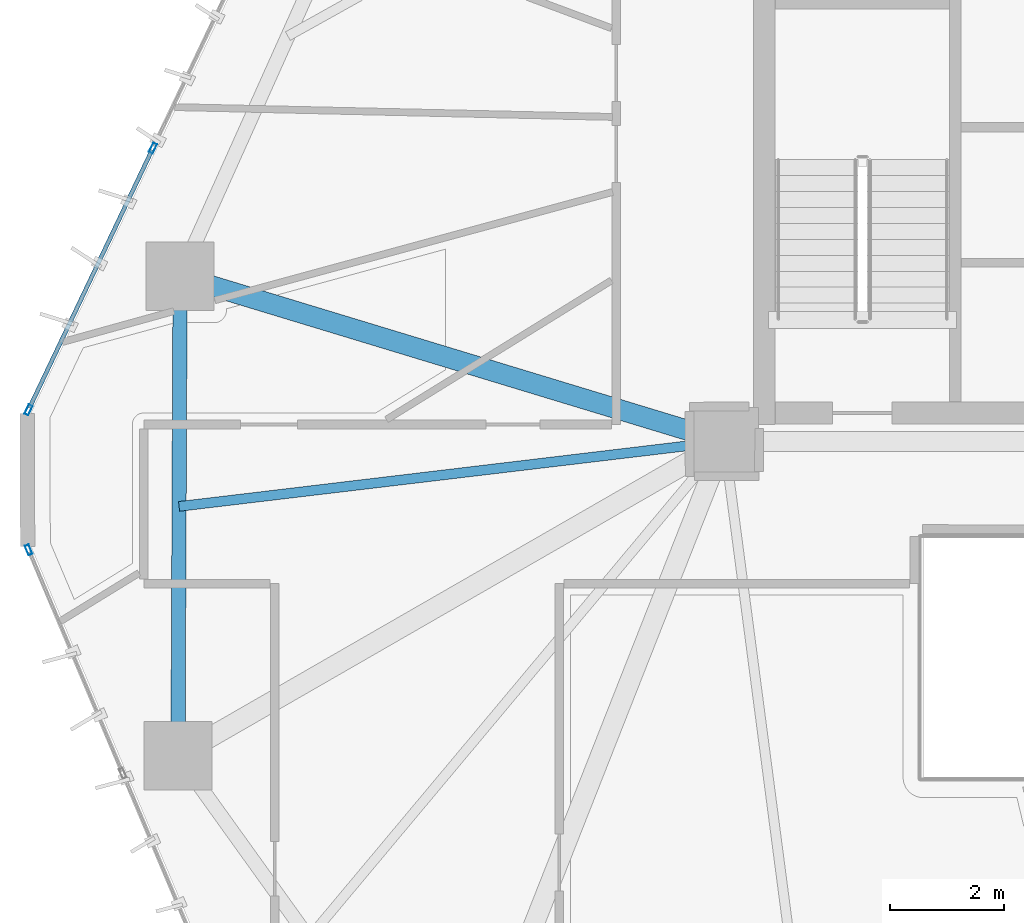
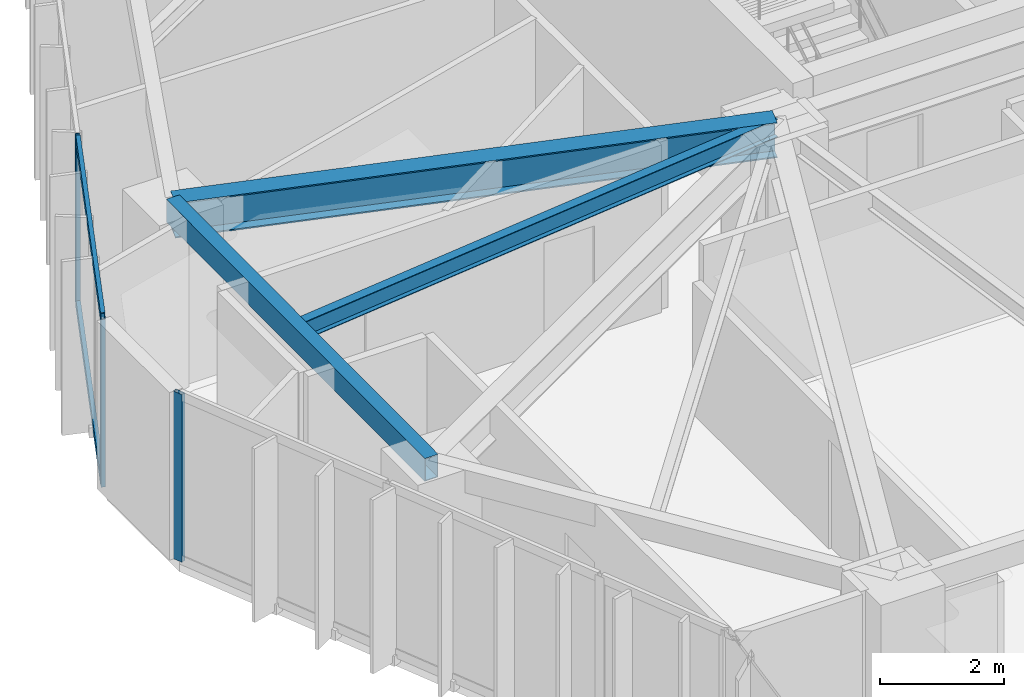
# One storey, part 7 of 22: 5 members, 3 beams, 2 elements without a shape of their own.
"""IFC4 building model written with IfcOpenShell, lengths in metres."""

from ifc_helpers import new_model, si_unit, direction, frame, origin, origin_2d, place, context, subcontext, project, spatial, hollow_rectangle, i_section, extrude, source, transform, mapped, material, layer, layer_set, material_profile, profile_set, type_object, type_shapes, element, aggregate, save


model = new_model("IFC4")

# Units and contexts
model_context = context("Model", 3, precision=1e-05, world=origin(), true_north=direction((0.0, 1.0)))
body_context = subcontext(model_context, "Body", "Model", "MODEL_VIEW")
ifc_project = project(units=[si_unit("LENGTHUNIT", "METRE"), si_unit("AREAUNIT", "SQUARE_METRE"), si_unit("VOLUMEUNIT", "CUBIC_METRE"), si_unit("PLANEANGLEUNIT", "RADIAN"), si_unit("MASSUNIT", "GRAM", prefix="KILO")], contexts=[model_context])

# Site, building, storey
site_placement = place(None, origin())
site = spatial("IfcSite", under=ifc_project, at=site_placement, CompositionType="ELEMENT")
building_placement = place(site_placement, origin())
building = spatial("IfcBuilding", under=site, at=building_placement, Name="Talar Marvaseh", CompositionType="ELEMENT")
storey_placement = place(building_placement, frame((0.0, 0.0, 150.60009765625)))
storey = spatial("IfcBuildingStorey", under=building, at=storey_placement, Name="L39", CompositionType="ELEMENT", Elevation=150.60009765625)

# Beams
ifc_material_1 = material(Name="Steel S355", Category="steel")
ifc_material_profile_1 = material_profile(ifc_material_1, hollow_rectangle(XDim=0.25, YDim=0.449951171875, WallThickness=0.01611328125, at=origin_2d()), Name="RHS450x250x16")
ifc_profile_set_1 = profile_set([ifc_material_profile_1], Name="Steel S355")
beam_type_1 = type_object("IfcBeamType", Name="Zone 2 Perimeter Spandrel Beam RHS450x250x16", PredefinedType="SPANDREL", material=ifc_profile_set_1)
beam_1_placement = place(storey_placement, frame((9.10107421875, 19.97705078125, 3.0849609375), z_axis=(0.004375628226, 0.999990426893, 0.0), x_axis=(-0.999990426893, 0.004375628226, 0.0)))
element("IfcBeam", 1, at=beam_1_placement, inside=storey, type_object=beam_type_1, Name="L39 Zone 2 Perimeter Spandrel Beam RHS450x250x16", PredefinedType="SPANDREL", context=body_context, shape_type="SweptSolid", body=[
    extrude(hollow_rectangle(XDim=0.25, YDim=0.449951171875, WallThickness=0.01611328125, at=origin_2d()), origin(), (0.0, 0.0, 1.0), 8.425048828125),
])
ifc_material_profile_2 = material_profile(ifc_material_1, i_section(OverallWidth=0.35498046875, OverallDepth=0.695068359375, WebThickness=0.015380859375, FlangeThickness=0.02490234375, at=origin_2d()), Name="W690x217")
ifc_profile_set_2 = profile_set([ifc_material_profile_2], Name="Steel S355")
beam_type_2 = type_object("IfcBeamType", Name="Zone 2 Radial Floor Girder W690x217", PredefinedType="BEAM", material=ifc_profile_set_2)
beam_2_placement = place(storey_placement, frame((9.137939453125, 28.402099609375, 2.96240234375), z_axis=(0.956898764921, -0.290421682546, 0.0), x_axis=(0.290421682546, 0.956898764921, 0.0)))
element("IfcBeam", 2, at=beam_2_placement, inside=storey, type_object=beam_type_2, Name="L39 Zone 2 Radial Floor Girder W690x217", PredefinedType="BEAM", context=body_context, shape_type="SweptSolid", body=[
    extrude(i_section(OverallWidth=0.35498046875, OverallDepth=0.695068359375, WebThickness=0.015380859375, FlangeThickness=0.02490234375, at=origin_2d()), origin(), (0.0, 0.0, 1.0), 9.99267578125),
])
ifc_material_profile_3 = material_profile(ifc_material_1, i_section(OverallWidth=0.172119140625, OverallDepth=0.35791015625, WebThickness=0.0078125, FlangeThickness=0.01318359375, at=origin_2d()), Name="W360x57")
ifc_profile_set_3 = profile_set([ifc_material_profile_3], Name="Steel S355")
beam_type_3 = type_object("IfcBeamType", Name="Zone 2 Secondary Floor Joist W360x57", PredefinedType="JOIST", material=ifc_profile_set_3)
beam_3_placement = place(storey_placement, frame((9.1201171875, 24.35791015625, 3.130859375), z_axis=(0.992968386245, 0.118379829018, 0.0), x_axis=(-0.118379829018, 0.992968386245, 0.0)))
element("IfcBeam", 3, at=beam_3_placement, inside=storey, type_object=beam_type_3, Name="L39 Zone 2 Secondary Floor Joist W360x57", PredefinedType="JOIST", context=body_context, shape_type="SweptSolid", body=[
    extrude(i_section(OverallWidth=0.172119140625, OverallDepth=0.35791015625, WebThickness=0.0078125, FlangeThickness=0.01318359375, at=origin_2d()), origin(), (0.0, 0.0, 1.0), 9.647705078125),
])

# Curtain wall, members
ifc_material_2 = material(Name="Architectural Aluminium", Category="aluminium")
ifc_layer = layer(ifc_material_2, 0.199951171875)
ifc_layer_set = layer_set([ifc_layer], Name="Architectural Aluminium")
curtain_wall_type = type_object("IfcCurtainWallType", Name="Unitised Acoustic Library Curtain Wall Z2", PredefinedType="NOTDEFINED", material=ifc_layer_set)
curtain_wall_1_placement = place(storey_placement, origin())
curtain_wall_1 = element("IfcCurtainWall", 4, at=curtain_wall_1_placement, inside=storey, type_object=curtain_wall_type, Name="L39 Unitised Acoustic Library Curtain Wall Z2", PredefinedType="NOTDEFINED")
ifc_material_profile_4 = material_profile(ifc_material_2, hollow_rectangle(XDim=0.074951171875, YDim=0.179931640625, WallThickness=0.0048828125, at=origin_2d()), Name="RHS180x75x5")
ifc_profile_set_4 = profile_set([ifc_material_profile_4], Name="Architectural Aluminium")
member_type_1 = type_object("IfcMemberType", Name="Unitised Curtain Wall Transom RHS180x75x5", PredefinedType="USERDEFINED", material=ifc_profile_set_4)
shared_shape_1 = source(origin(), body_context, "Body", "SweptSolid", [
    extrude(hollow_rectangle(XDim=0.074951171875, YDim=0.179931640625, WallThickness=0.0048828125, at=origin_2d()), origin(), (0.0, 0.0, 1.0), 5.017333984375),
])
type_shapes(member_type_1, [shared_shape_1])
member_1_placement = place(storey_placement, frame((6.49072265625, 26.08740234375, 0.037353515625), z_axis=(0.429414092074, 0.903107710923, 0.0), x_axis=(-0.903107710923, 0.429414092074, 0.0)))
member_1 = element("IfcMember", 5, at=member_1_placement, type_object=member_type_1, Name="CW-Z2 transom 1.1", ObjectType="TRANSOM", PredefinedType="USERDEFINED", context=body_context, shape_type="MappedRepresentation", body=[
    mapped(shared_shape_1, transform((0.0, 0.0, 0.0), x_axis=(1.0, 0.0, 0.0), y_axis=(0.0, 1.0, 0.0), z_axis=(0.0, 0.0, 1.0), scale=1.0)),
])
member_2_placement = place(storey_placement, frame((6.49072265625, 26.08740234375, 3.2724609375), z_axis=(0.429414092074, 0.903107710923, 0.0), x_axis=(-0.903107710923, 0.429414092074, 0.0)))
member_2 = element("IfcMember", 6, at=member_2_placement, type_object=member_type_1, Name="CW-Z2 transom 1.2", ObjectType="TRANSOM", PredefinedType="USERDEFINED", context=body_context, shape_type="MappedRepresentation", body=[
    mapped(shared_shape_1, transform((0.0, 0.0, 0.0), x_axis=(1.0, 0.0, 0.0), y_axis=(0.0, 1.0, 0.0), z_axis=(0.0, 0.0, 1.0), scale=1.0)),
])

# Curtain wall, member
curtain_wall_2_placement = place(storey_placement, origin())
curtain_wall_2 = element("IfcCurtainWall", 7, at=curtain_wall_2_placement, inside=storey, type_object=curtain_wall_type, Name="L39 Unitised Acoustic Library Curtain Wall Z2", PredefinedType="NOTDEFINED")
ifc_material_profile_5 = material_profile(ifc_material_2, hollow_rectangle(XDim=0.074951171875, YDim=0.179931640625, WallThickness=0.0048828125, at=origin_2d()), Name="RHS180x75x5")
ifc_profile_set_5 = profile_set([ifc_material_profile_5], Name="Architectural Aluminium")
member_type_2 = type_object("IfcMemberType", Name="Unitised Curtain Wall Standard Mullion RHS180x75x5", PredefinedType="MULLION", material=ifc_profile_set_5)
shared_shape_2 = source(origin(), body_context, "Body", "SweptSolid", [
    extrude(hollow_rectangle(XDim=0.074951171875, YDim=0.179931640625, WallThickness=0.0048828125, at=origin_2d()), origin(), (0.0, 0.0, 1.0), 3.309814453125),
])
type_shapes(member_type_2, [shared_shape_2])
member_3_placement = place(storey_placement, frame((6.47705078125, 23.59521484375, 0.0), z_axis=(0.0, 0.0, 1.0), x_axis=(-0.921549948496, -0.388259825924, 0.0)))
member_3 = element("IfcMember", 8, at=member_3_placement, type_object=member_type_2, Name="CW-Z2 mullion 5", PredefinedType="MULLION", context=body_context, shape_type="MappedRepresentation", body=[
    mapped(shared_shape_2, transform((0.0, 0.0, 0.0), x_axis=(1.0, 0.0, 0.0), y_axis=(0.0, 1.0, 0.0), z_axis=(0.0, 0.0, 1.0), scale=1.0)),
])
aggregate(curtain_wall_2, [member_3])

# Member
member_4_placement = place(storey_placement, frame((6.474609375, 26.053466796875, 0.0), z_axis=(0.0, 0.0, 1.0), x_axis=(-0.903095669982, 0.429439414656, 0.0)))
member_4 = element("IfcMember", 9, at=member_4_placement, type_object=member_type_2, Name="CW-Z2 mullion 1", PredefinedType="MULLION", context=body_context, shape_type="MappedRepresentation", body=[
    mapped(shared_shape_2, transform((0.0, 0.0, 0.0), x_axis=(1.0, 0.0, 0.0), y_axis=(0.0, 1.0, 0.0), z_axis=(0.0, 0.0, 1.0), scale=1.0)),
])

member_5_placement = place(storey_placement, frame((8.661376953125, 30.652587890625, 0.0), z_axis=(0.0, 0.0, 1.0), x_axis=(-0.903095669982, 0.429439414656, 0.0)))
member_5 = element("IfcMember", 10, at=member_5_placement, type_object=member_type_2, Name="CW-Z2 mullion 2", PredefinedType="MULLION", context=body_context, shape_type="MappedRepresentation", body=[
    mapped(shared_shape_2, transform((0.0, 0.0, 0.0), x_axis=(1.0, 0.0, 0.0), y_axis=(0.0, 1.0, 0.0), z_axis=(0.0, 0.0, 1.0), scale=1.0)),
])

aggregate(curtain_wall_1, [member_4, member_5, member_1, member_2])

save(model, "model.ifc")
